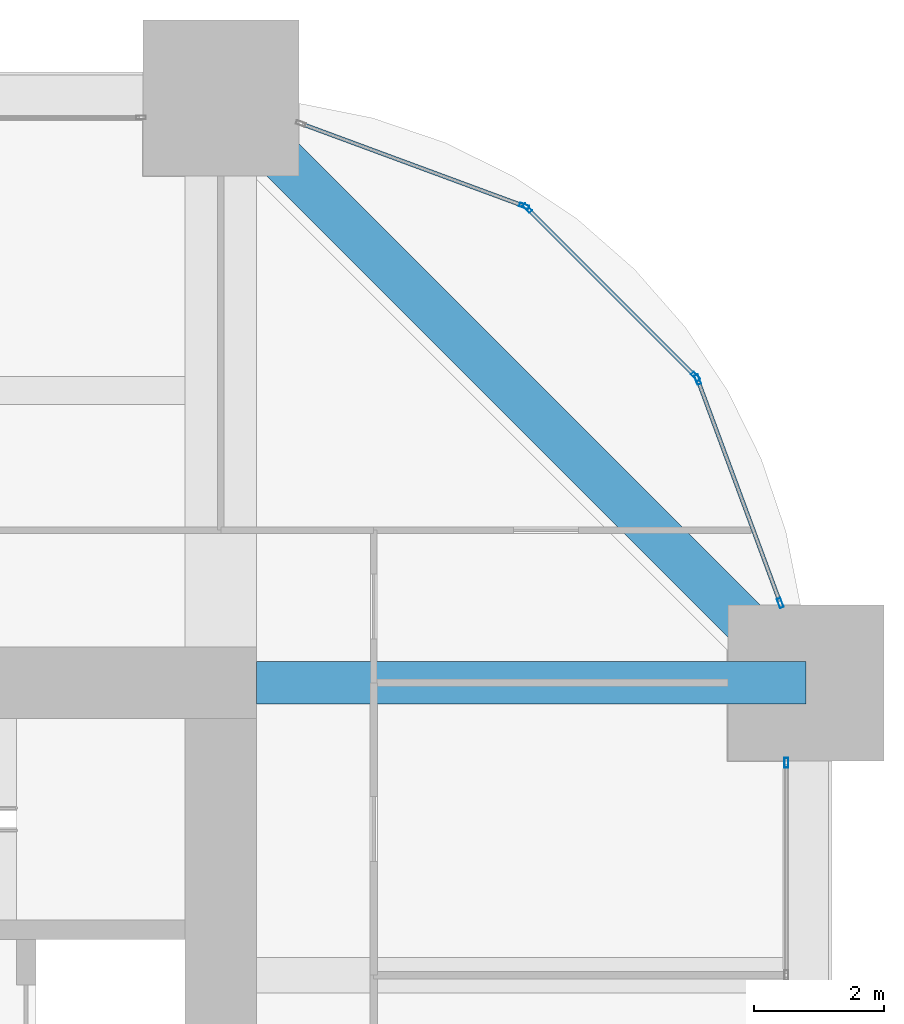
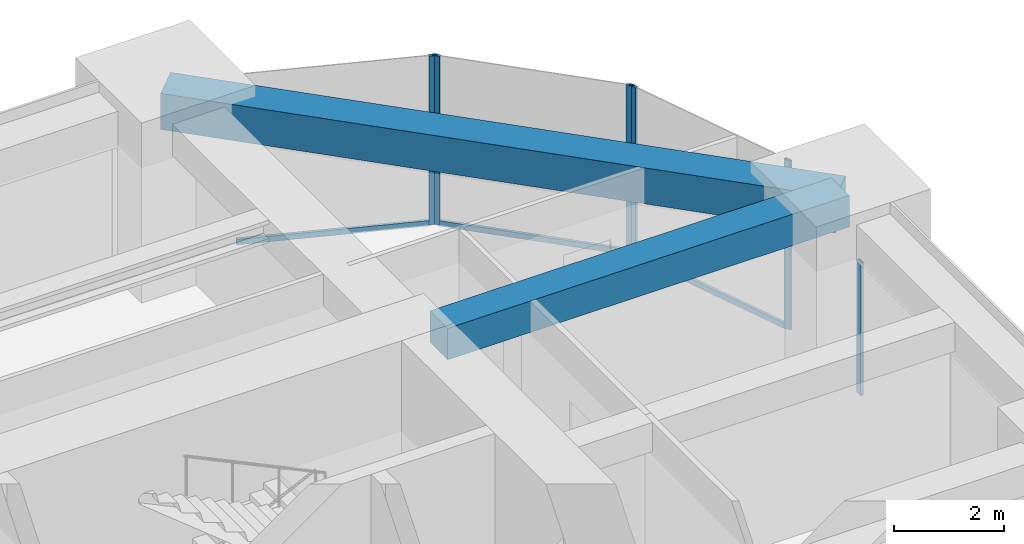
# One storey, part 27 of 32: 9 members, 2 beams, 4 elements without a shape of their own.
"""IFC4 building model written with IfcOpenShell, lengths in metres."""

import ifcopenshell
import ifcopenshell.guid

model = None  # the IFC model being written
_history = None  # IfcOwnerHistory: only IFC2X3 demands one
_inside = {}  # id of a spatial element -> (the spatial element, [elements in it])
_under = {}  # id of a project, library or spatial element -> (it, [spatial elements below it])
_declared = {}  # id of a project -> (the project, [libraries it declares])
_typed = {}  # id of a type object -> (the type object, [elements of that type])
_made_of = {}  # id of a material, layer set ... -> (it, [elements and type objects made of it])


def new_model(schema):
    """Start an empty IFC model of exactly this schema.

    Asked for "IFC4X3", IfcOpenShell would pick the latest addendum, in which some entities
    have other attributes; the version numbers below select the first issue.
    IFC2X3 requires an IfcOwnerHistory on every rooted entity: one is made here for all.
    """
    global model, _history
    if schema == "IFC4X3":
        model = ifcopenshell.file(schema_version=(4, 3, 0, 0))
    else:
        model = ifcopenshell.file(schema=schema)
    _inside.clear()
    _under.clear()
    _declared.clear()
    _typed.clear()
    _made_of.clear()
    _history = None
    if model.schema == "IFC2X3":
        org = make("IfcOrganization", Name="unknown")
        user = make(
            "IfcPersonAndOrganization",
            ThePerson=make("IfcPerson", FamilyName="unknown"),
            TheOrganization=org,
        )
        app = make(
            "IfcApplication",
            ApplicationDeveloper=org,
            Version="unknown",
            ApplicationFullName="unknown",
            ApplicationIdentifier="unknown",
        )
        _history = make(
            "IfcOwnerHistory",
            OwningUser=user,
            OwningApplication=app,
            ChangeAction="ADDED",
            CreationDate=0,
        )
    return model


def make(cls, **values):
    """One entity of the class cls with the attributes given. An attribute that is None is left unset."""
    return model.create_entity(
        cls, **{name: value for name, value in values.items() if value is not None}
    )


def rooted(cls, **values):
    """An entity with a GlobalId (a new one), such as an element, a storey or a relation."""
    return make(cls, GlobalId=ifcopenshell.guid.new(), OwnerHistory=_history, **values)


def si_unit(unit_type, name, prefix=None):
    """IfcSIUnit, for example si_unit("LENGTHUNIT", "METRE", prefix="MILLI")."""
    return make("IfcSIUnit", UnitType=unit_type, Prefix=prefix, Name=name)


def assignment(units):
    """IfcUnitAssignment: the units of a project."""
    return None if units is None else make("IfcUnitAssignment", Units=units)


def point(xyz):
    """IfcCartesianPoint."""
    return None if xyz is None else make("IfcCartesianPoint", Coordinates=xyz)


def direction(xyz):
    """IfcDirection."""
    return None if xyz is None else make("IfcDirection", DirectionRatios=xyz)


def frame(location, z_axis=None, x_axis=None):
    """IfcAxis2Placement3D, a coordinate frame: its origin and axes. An axis left out is left unset."""
    return make(
        "IfcAxis2Placement3D",
        Location=point(location),
        Axis=direction(z_axis),
        RefDirection=direction(x_axis),
    )


def frame_2d(location, x_axis=None):
    """IfcAxis2Placement2D, a coordinate frame in the plane: its origin and x axis."""
    return make(
        "IfcAxis2Placement2D", Location=point(location), RefDirection=direction(x_axis)
    )


def origin():
    """The frame at (0, 0, 0) with its axes left unset."""
    return frame((0.0, 0.0, 0.0))


def origin_2d():
    """The frame at (0, 0) in the plane with its x axis left unset."""
    return frame_2d((0.0, 0.0))


def place(relative_to, where):
    """IfcLocalPlacement: puts the frame where relative to a parent placement (None: the world)."""
    return make(
        "IfcLocalPlacement", PlacementRelTo=relative_to, RelativePlacement=where
    )


def context(
    kind, dimensions, precision=None, world=None, true_north=None, identifier=None
):
    """IfcGeometricRepresentationContext, for example the 3D "Model" context."""
    return make(
        "IfcGeometricRepresentationContext",
        ContextIdentifier=identifier,
        ContextType=kind,
        CoordinateSpaceDimension=dimensions,
        Precision=precision,
        WorldCoordinateSystem=world,
        TrueNorth=true_north,
    )


def subcontext(parent, identifier, kind, view, scale=None):
    """IfcGeometricRepresentationSubContext, for example "Body" below "Model"."""
    return make(
        "IfcGeometricRepresentationSubContext",
        ContextIdentifier=identifier,
        ContextType=kind,
        ParentContext=parent,
        TargetScale=scale,
        TargetView=view,
    )


def project(units=None, contexts=None):
    """IfcProject with its units and contexts."""
    return rooted(
        "IfcProject",
        Name="project",
        RepresentationContexts=contexts,
        UnitsInContext=assignment(units),
    )


def spatial(cls, under=None, at=None, **own):
    """A site, building, storey or space (cls), placed at a placement, below another one or the project."""
    s = rooted(cls, ObjectPlacement=at, **own)
    if under is not None:
        _under.setdefault(under.id(), (under, []))[1].append(s)
    return s


def profile(cls, at=None, kind="AREA", **sizes):
    """A parametric profile (cls). Its sizes go by their IFC names, for example OverallWidth=200.0."""
    return make(cls, ProfileType=kind, Position=at, **sizes)


def rectangle(**sizes):
    """IfcRectangleProfileDef."""
    return profile("IfcRectangleProfileDef", **sizes)


def hollow_rectangle(**sizes):
    """IfcRectangleHollowProfileDef."""
    return profile("IfcRectangleHollowProfileDef", **sizes)


def extrude(swept, where, along, depth):
    """IfcExtrudedAreaSolid: the profile swept, set in the frame where, extruded along a direction by depth."""
    return make(
        "IfcExtrudedAreaSolid",
        SweptArea=swept,
        Position=where,
        ExtrudedDirection=direction(along),
        Depth=depth,
    )


def shape(context_of_items, identifier, shape_type, items):
    """IfcShapeRepresentation: the items that make up one representation, for example the "Body"."""
    return make(
        "IfcShapeRepresentation",
        ContextOfItems=context_of_items,
        RepresentationIdentifier=identifier,
        RepresentationType=shape_type,
        Items=items,
    )


def material(Name=None, Category=None):
    """IfcMaterial."""
    return make("IfcMaterial", Name=Name, Category=Category)


def material_profile(
    of_material, cross_section, Name=None, Category=None, Priority=None
):
    """IfcMaterialProfile: a cross section and its material."""
    return make(
        "IfcMaterialProfile",
        Name=Name,
        Material=of_material,
        Profile=cross_section,
        Priority=Priority,
        Category=Category,
    )


def profile_set(profiles, Name=None, composite=None):
    """IfcMaterialProfileSet."""
    return make(
        "IfcMaterialProfileSet",
        Name=Name,
        MaterialProfiles=profiles,
        CompositeProfile=composite,
    )


def made_of(thing, what):
    """Note that an element or type object is made of a material, layer set ...; save() writes the relation."""
    if what is not None:
        _made_of.setdefault(what.id(), (what, []))[1].append(thing)
    return thing


def type_object(cls, material=None, **own):
    """A type object (cls), such as IfcWallType, which elements share."""
    return made_of(rooted(cls, **own), material)


def element(
    cls,
    number,
    at=None,
    inside=None,
    cuts=None,
    type_object=None,
    material=None,
    context=None,
    identifier="Body",
    shape_type=None,
    held_by="IfcProductDefinitionShape",
    body=None,
    shapes=None,
    **own,
):
    """One element of the class cls, such as IfcWall. Its Tag is "e" and its number.

    at: its placement. inside: the storey or other place that contains it. cuts: it is an
    opening in that element (IfcRelVoidsElement). A single representation is given by context,
    identifier, shape_type and body (its items); several are given by shapes. held_by: the class
    of the entity that holds the representations. save() writes the other relations.
    """
    e = rooted(cls, Tag="e%d" % number, ObjectPlacement=at, **own)
    if body is not None:
        shapes = [shape(context, identifier, shape_type, body)]
    if shapes is not None:
        e.Representation = make(held_by, Representations=shapes)
    if inside is not None:
        _inside.setdefault(inside.id(), (inside, []))[1].append(e)
    if cuts is not None:
        rooted(
            "IfcRelVoidsElement", RelatingBuildingElement=cuts, RelatedOpeningElement=e
        )
    if type_object is not None:
        _typed.setdefault(type_object.id(), (type_object, []))[1].append(e)
    return made_of(e, material)


def aggregate(whole, parts):
    """IfcRelAggregates: a whole, such as a stair, and the parts it consists of."""
    return rooted("IfcRelAggregates", RelatingObject=whole, RelatedObjects=parts)


def save(model, path):
    """Write the relations noted so far, then the file.

    IfcRelAggregates (storeys below a building ...), IfcRelContainedInSpatialStructure (elements
    in a storey), IfcRelDefinesByType, IfcRelAssociatesMaterial and IfcRelDeclares: one each for
    every whole, place, type object, material and project.
    """
    for whole, parts in _under.values():
        aggregate(whole, parts)
    for where, things in _inside.values():
        rooted(
            "IfcRelContainedInSpatialStructure",
            RelatedElements=things,
            RelatingStructure=where,
        )
    for kind, things in _typed.values():
        rooted("IfcRelDefinesByType", RelatedObjects=things, RelatingType=kind)
    for what, things in _made_of.values():
        rooted("IfcRelAssociatesMaterial", RelatedObjects=things, RelatingMaterial=what)
    for by, libraries in _declared.values():
        rooted("IfcRelDeclares", RelatingContext=by, RelatedDefinitions=libraries)
    model.write(path)


model = new_model("IFC4")

# Units and contexts
model_context = context("Model", 3, precision=1e-05, world=origin(), true_north=direction((0.0, 1.0)))
body_context = subcontext(model_context, "Body", "Model", "MODEL_VIEW")
ifc_project = project(units=[si_unit("LENGTHUNIT", "METRE"), si_unit("AREAUNIT", "SQUARE_METRE"), si_unit("VOLUMEUNIT", "CUBIC_METRE"), si_unit("PLANEANGLEUNIT", "RADIAN"), si_unit("MASSUNIT", "GRAM", prefix="KILO")], contexts=[model_context])

# Site, building, storey
site_placement = place(None, origin())
site = spatial("IfcSite", under=ifc_project, at=site_placement, CompositionType="ELEMENT")
building_placement = place(site_placement, origin())
building = spatial("IfcBuilding", under=site, at=building_placement, Name="Zorevar Civic Tower", CompositionType="ELEMENT")
storey_placement = place(building_placement, frame((0.0, 0.0, 182.199951171875)))
storey = spatial("IfcBuildingStorey", under=building, at=storey_placement, Name="L44", CompositionType="ELEMENT", Elevation=182.199951171875)

# Beam
ifc_material_1 = material(Name="Concrete C50/60", Category="concrete")
ifc_material_profile_1 = material_profile(ifc_material_1, rectangle(XDim=0.64990234375, YDim=0.699951171875, at=origin_2d()), Name="RC 650x700")
ifc_profile_set_1 = profile_set([ifc_material_profile_1], Name="Concrete C50/60")
beam_type_1 = type_object("IfcBeamType", Name="Beam RC 650x700", PredefinedType="BEAM", material=ifc_profile_set_1)
beam_1_placement = place(storey_placement, frame((45.550048828125, 36.0, 3.400146484375), z_axis=(1.0, 0.0, 0.0), x_axis=(0.0, 1.0, 0.0)))
element("IfcBeam", 1, at=beam_1_placement, inside=storey, type_object=beam_type_1, Name="Girder L45", PredefinedType="BEAM", context=body_context, shape_type="SweptSolid", body=[
    extrude(rectangle(XDim=0.64990234375, YDim=0.699951171875, at=origin_2d()), origin(), (0.0, 0.0, 1.0), 8.449951171875),
])

# Curtain wall, member
ifc_material_2 = material(Name="Dark grey solar-control glass in black aluminium frame", Category="aluminium")
curtain_wall_type = type_object("IfcCurtainWallType", Name="Curtain wall CW4 high zone", PredefinedType="NOTDEFINED", material=ifc_material_2)
curtain_wall_1_placement = place(storey_placement, origin())
curtain_wall_1 = element("IfcCurtainWall", 2, at=curtain_wall_1_placement, inside=storey, type_object=curtain_wall_type, Name="CW4 L44", PredefinedType="NOTDEFINED")
ifc_material_3 = material(Name="Aluminium, black anodised", Category="aluminium")
ifc_material_profile_2 = material_profile(ifc_material_3, hollow_rectangle(XDim=0.06005859375, YDim=0.14990234375, WallThickness=0.00390625, at=origin_2d()), Name="AL 150x60x4")
ifc_profile_set_2 = profile_set([ifc_material_profile_2], Name="Aluminium, black anodised")
member_type_1 = type_object("IfcMemberType", Name="CW4 mullion AL 150x60x4", PredefinedType="MULLION", material=ifc_profile_set_2)
member_1_placement = place(storey_placement, frame((53.699951171875, 34.77001953125, 0.0), z_axis=(0.0, 0.0, 1.0), x_axis=(-1.0, 0.0, 0.0)))
member_1 = element("IfcMember", 3, at=member_1_placement, type_object=member_type_1, Name="CW4 mullion 3", PredefinedType="MULLION", context=body_context, shape_type="SweptSolid", body=[
    extrude(hollow_rectangle(XDim=0.06005859375, YDim=0.14990234375, WallThickness=0.00390625, at=origin_2d()), origin(), (0.0, 0.0, 1.0), 2.949951171875),
])
aggregate(curtain_wall_1, [member_1])

# Curtain wall, members
curtain_wall_2_placement = place(storey_placement, origin())
curtain_wall_2 = element("IfcCurtainWall", 4, at=curtain_wall_2_placement, inside=storey, type_object=curtain_wall_type, Name="CW4 L44", PredefinedType="NOTDEFINED")
member_2_placement = place(storey_placement, frame((53.6064453125, 37.22802734375, 0.0), z_axis=(0.0, 0.0, 1.0), x_axis=(-0.937974588163, -0.346704012033, 0.0)))
member_2 = element("IfcMember", 5, at=member_2_placement, type_object=member_type_1, Name="CW4 mullion 1", PredefinedType="MULLION", context=body_context, shape_type="SweptSolid", body=[
    extrude(hollow_rectangle(XDim=0.06005859375, YDim=0.14990234375, WallThickness=0.00390625, at=origin_2d()), origin(), (0.0, 0.0, 1.0), 3.75),
])
member_3_placement = place(storey_placement, frame((52.336181640625, 40.66455078125, 0.0), z_axis=(0.0, 0.0, 1.0), x_axis=(-0.937974588163, -0.346704012033, 0.0)))
member_3 = element("IfcMember", 6, at=member_3_placement, type_object=member_type_1, Name="CW4 mullion 2", PredefinedType="MULLION", context=body_context, shape_type="SweptSolid", body=[
    extrude(hollow_rectangle(XDim=0.06005859375, YDim=0.14990234375, WallThickness=0.00390625, at=origin_2d()), origin(), (0.0, 0.0, 1.0), 3.75),
])

curtain_wall_3_placement = place(storey_placement, origin())
curtain_wall_3 = element("IfcCurtainWall", 7, at=curtain_wall_3_placement, inside=storey, type_object=curtain_wall_type, Name="CW4 L44", PredefinedType="NOTDEFINED")
member_4_placement = place(storey_placement, frame((52.3046875, 40.7138671875, 0.0), z_axis=(0.0, 0.0, 1.0), x_axis=(-0.707106781187, -0.707106781187, 0.0)))
member_4 = element("IfcMember", 8, at=member_4_placement, type_object=member_type_1, Name="CW4 mullion 1", PredefinedType="MULLION", context=body_context, shape_type="SweptSolid", body=[
    extrude(hollow_rectangle(XDim=0.06005859375, YDim=0.14990234375, WallThickness=0.00390625, at=origin_2d()), origin(), (0.0, 0.0, 1.0), 3.75),
])
member_5_placement = place(storey_placement, frame((49.7138671875, 43.3046875, 0.0), z_axis=(0.0, 0.0, 1.0), x_axis=(-0.707106781187, -0.707106781187, 0.0)))
member_5 = element("IfcMember", 9, at=member_5_placement, type_object=member_type_1, Name="CW4 mullion 2", PredefinedType="MULLION", context=body_context, shape_type="SweptSolid", body=[
    extrude(hollow_rectangle(XDim=0.06005859375, YDim=0.14990234375, WallThickness=0.00390625, at=origin_2d()), origin(), (0.0, 0.0, 1.0), 3.75),
])

# Curtain wall, member
curtain_wall_4_placement = place(storey_placement, origin())
curtain_wall_4 = element("IfcCurtainWall", 10, at=curtain_wall_4_placement, inside=storey, type_object=curtain_wall_type, Name="CW4 L44", PredefinedType="NOTDEFINED")
member_6_placement = place(storey_placement, frame((49.66455078125, 43.336181640625, 0.0), z_axis=(0.0, 0.0, 1.0), x_axis=(-0.346704012033, -0.937974588163, 0.0)))
member_6 = element("IfcMember", 11, at=member_6_placement, type_object=member_type_1, Name="CW4 mullion 1", PredefinedType="MULLION", context=body_context, shape_type="SweptSolid", body=[
    extrude(hollow_rectangle(XDim=0.06005859375, YDim=0.14990234375, WallThickness=0.00390625, at=origin_2d()), origin(), (0.0, 0.0, 1.0), 3.75),
])

# Member
ifc_material_4 = material(Name="Aluminium, black anodised", Category="aluminium")
ifc_material_profile_3 = material_profile(ifc_material_4, hollow_rectangle(XDim=0.06005859375, YDim=0.1201171875, WallThickness=0.0029296875, at=origin_2d()), Name="AL 120x60x3")
ifc_profile_set_3 = profile_set([ifc_material_profile_3], Name="Aluminium, black anodised")
member_type_2 = type_object("IfcMemberType", Name="CW4 transom AL 120x60x3", PredefinedType="USERDEFINED", material=ifc_profile_set_3)
member_7_placement = place(storey_placement, frame((53.595947265625, 37.25634765625, 0.030029296875), z_axis=(-0.346672169799, 0.93798635741, 0.0), x_axis=(-0.93798635741, -0.346672169799, 0.0)))
member_7 = element("IfcMember", 12, at=member_7_placement, type_object=member_type_2, Name="CW4 sill transom", ObjectType="TRANSOM", PredefinedType="USERDEFINED", context=body_context, shape_type="SweptSolid", body=[
    extrude(hollow_rectangle(XDim=0.06005859375, YDim=0.1201171875, WallThickness=0.0029296875, at=origin_2d()), origin(), (0.0, 0.0, 1.0), 3.603515625),
])

aggregate(curtain_wall_2, [member_2, member_3, member_7])

member_8_placement = place(storey_placement, frame((52.283447265625, 40.735107421875, 0.030029296875), z_axis=(-0.707106781187, 0.707106781187, 0.0), x_axis=(-0.707106781187, -0.707106781187, 0.0)))
member_8 = element("IfcMember", 13, at=member_8_placement, type_object=member_type_2, Name="CW4 sill transom", ObjectType="TRANSOM", PredefinedType="USERDEFINED", context=body_context, shape_type="SweptSolid", body=[
    extrude(hollow_rectangle(XDim=0.06005859375, YDim=0.1201171875, WallThickness=0.0029296875, at=origin_2d()), origin(), (0.0, 0.0, 1.0), 3.60400390625),
])

aggregate(curtain_wall_3, [member_4, member_5, member_8])

member_9_placement = place(storey_placement, frame((49.636474609375, 43.3466796875, 0.030029296875), z_axis=(-0.93798635741, 0.346672169799, 0.0), x_axis=(-0.346672169799, -0.93798635741, 0.0)))
member_9 = element("IfcMember", 14, at=member_9_placement, type_object=member_type_2, Name="CW4 sill transom", ObjectType="TRANSOM", PredefinedType="USERDEFINED", context=body_context, shape_type="SweptSolid", body=[
    extrude(hollow_rectangle(XDim=0.06005859375, YDim=0.1201171875, WallThickness=0.0029296875, at=origin_2d()), origin(), (0.0, 0.0, 1.0), 3.603515625),
])

aggregate(curtain_wall_4, [member_6, member_9])

# Beam
ifc_material_5 = material(Name="Concrete C50/60", Category="concrete")
ifc_material_profile_4 = material_profile(ifc_material_5, rectangle(XDim=0.699951171875, YDim=0.800048828125, at=origin_2d()), Name="RC 700x800")
ifc_profile_set_4 = profile_set([ifc_material_profile_4], Name="Concrete C50/60")
beam_type_2 = type_object("IfcBeamType", Name="Edge beam RC 700x800", PredefinedType="SPANDREL", material=ifc_profile_set_4)
beam_2_placement = place(storey_placement, frame((54.0, 36.0, 3.35009765625), z_axis=(-0.707106781187, 0.707106781187, 0.0), x_axis=(-0.707106781187, -0.707106781187, 0.0)))
element("IfcBeam", 15, at=beam_2_placement, inside=storey, type_object=beam_type_2, Name="Corner edge beam L45", PredefinedType="SPANDREL", context=body_context, shape_type="SweptSolid", body=[
    extrude(rectangle(XDim=0.699951171875, YDim=0.800048828125, at=origin_2d()), origin(), (0.0, 0.0, 1.0), 12.72802734375),
])

save(model, "model.ifc")
